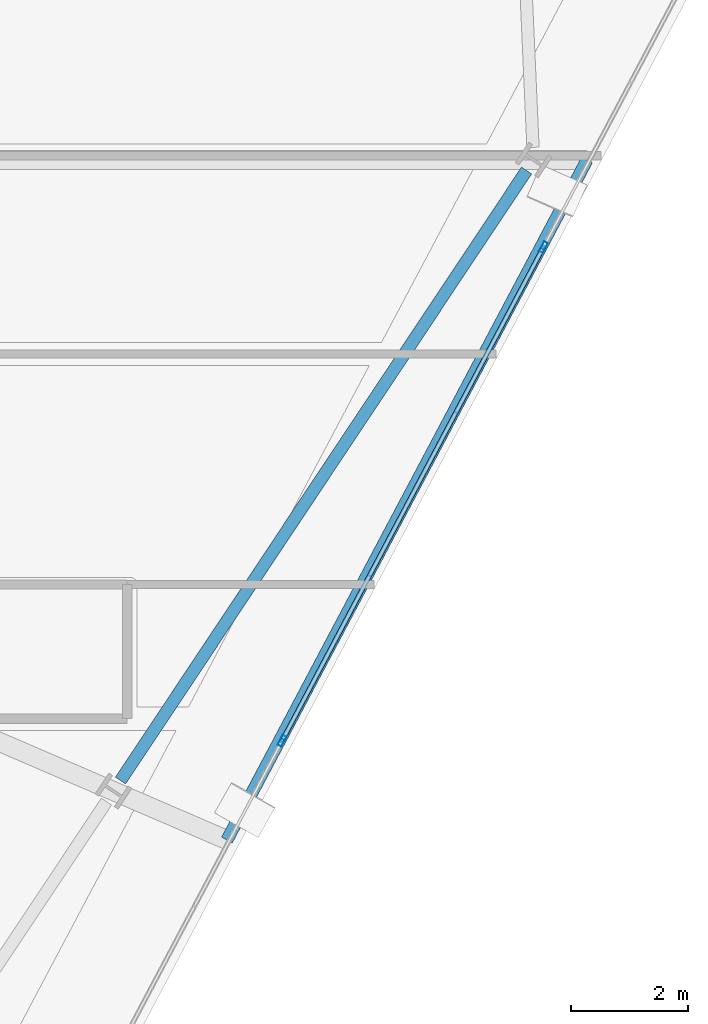
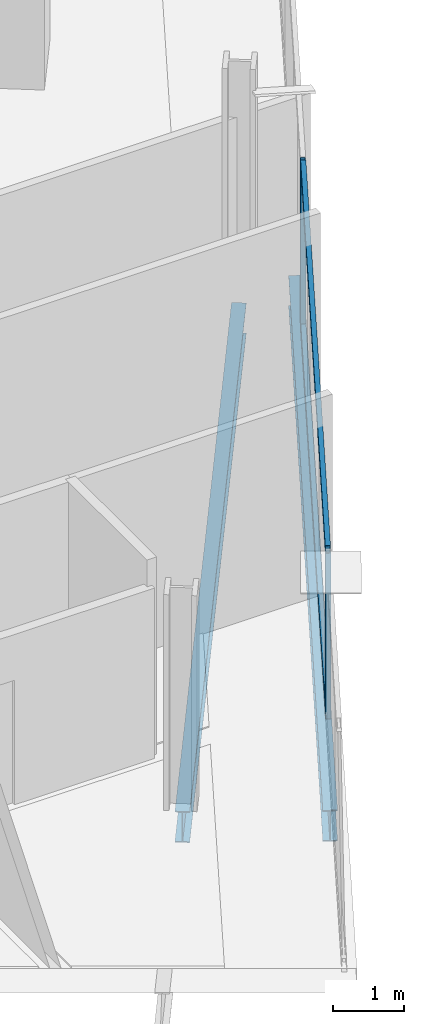
# One storey, part 12 of 28: 4 members, 2 beams, 1 element without a shape of its own.
"""IFC4 building model written with IfcOpenShell, lengths in metres."""

from ifc_helpers import new_model, si_unit, direction, frame, origin, origin_2d, place, context, subcontext, project, spatial, hollow_rectangle, i_section, extrude, material, material_profile, profile_set, type_object, element, aggregate, save


model = new_model("IFC4")

# Units and contexts
model_context = context("Model", 3, precision=1e-05, world=origin(), true_north=direction((0.0, 1.0)))
body_context = subcontext(model_context, "Body", "Model", "MODEL_VIEW")
ifc_project = project(units=[si_unit("LENGTHUNIT", "METRE"), si_unit("AREAUNIT", "SQUARE_METRE"), si_unit("VOLUMEUNIT", "CUBIC_METRE"), si_unit("PLANEANGLEUNIT", "RADIAN"), si_unit("MASSUNIT", "GRAM", prefix="KILO")], contexts=[model_context])

# Site, building, storey
site_placement = place(None, origin())
site = spatial("IfcSite", under=ifc_project, at=site_placement, CompositionType="ELEMENT")
building_placement = place(site_placement, origin())
building = spatial("IfcBuilding", under=site, at=building_placement, Name="Haldenkirk Collegiate Tower", CompositionType="ELEMENT")
storey_placement = place(building_placement, frame((0.0, 0.0, 235.949951171875)))
storey = spatial("IfcBuildingStorey", under=building, at=storey_placement, Name="L59", CompositionType="ELEMENT", Elevation=235.949951171875)

# Beams
ifc_material_1 = material(Name="Steel ASTM A992 Grade 50", Category="steel")
ifc_material_profile_1 = material_profile(ifc_material_1, i_section(OverallWidth=0.2099609375, OverallDepth=0.537109375, WebThickness=0.010986328125, FlangeThickness=0.017333984375, at=origin_2d()), Name="W21X68")
ifc_profile_set_1 = profile_set([ifc_material_profile_1], Name="Steel ASTM A992 Grade 50")
beam_type = type_object("IfcBeamType", Name="BM-SPANDREL-W21X68", PredefinedType="SPANDREL", material=ifc_profile_set_1)
beam_1_placement = place(storey_placement, frame((53.6845703125, 14.48876953125, -0.54833984375), z_axis=(0.554125989098, 0.832432813028, 0.0), x_axis=(-0.832432813028, 0.554125989098, 0.0)))
element("IfcBeam", 1, at=beam_1_placement, inside=storey, type_object=beam_type, Name="L59 perimeter spandrel beam 03", PredefinedType="SPANDREL", context=body_context, shape_type="SweptSolid", body=[
    extrude(i_section(OverallWidth=0.2099609375, OverallDepth=0.537109375, WebThickness=0.010986328125, FlangeThickness=0.017333984375, at=origin_2d()), origin(), (0.0, 0.0, 1.0), 12.56201171875),
])
beam_2_placement = place(storey_placement, frame((55.50927734375, 13.4697265625, -0.54833984375), z_axis=(0.467941297359, 0.883759550006, 0.0), x_axis=(-0.883759550006, 0.467941297359, 0.0)))
element("IfcBeam", 2, at=beam_2_placement, inside=storey, type_object=beam_type, Name="L59 outer facade edge beam 1", PredefinedType="SPANDREL", context=body_context, shape_type="SweptSolid", body=[
    extrude(i_section(OverallWidth=0.2099609375, OverallDepth=0.537109375, WebThickness=0.010986328125, FlangeThickness=0.017333984375, at=origin_2d()), origin(), (0.0, 0.0, 1.0), 13.18994140625),
])

# Curtain wall, members
ifc_material_2 = material(Name="Anodised architectural bronze aluminium", Category="aluminium")
curtain_wall_type = type_object("IfcCurtainWallType", Name="CW-SYS2-CONCAVE", PredefinedType="USERDEFINED", material=ifc_material_2)
curtain_wall_placement = place(storey_placement, origin())
curtain_wall = element("IfcCurtainWall", 3, at=curtain_wall_placement, inside=storey, type_object=curtain_wall_type, Name="L59 South concave recessed bronze-anodised curtain wall", ObjectType="UNITISED CURTAIN WALL", PredefinedType="USERDEFINED")
ifc_material_profile_2 = material_profile(ifc_material_2, hollow_rectangle(XDim=0.074951171875, YDim=0.18994140625, WallThickness=0.0048828125, at=origin_2d()), Name="CW-MUL-02")
ifc_profile_set_2 = profile_set([ifc_material_profile_2], Name="Anodised architectural bronze aluminium")
member_type_1 = type_object("IfcMemberType", Name="CW-MUL-02", PredefinedType="MULLION", material=ifc_profile_set_2)
member_1_placement = place(storey_placement, frame((60.93505859375, 23.6318359375, 0.0), z_axis=(0.0, 0.0, 1.0), x_axis=(0.883764543584, -0.467931866304, 0.0)))
member_1 = element("IfcMember", 4, at=member_1_placement, type_object=member_type_1, Name="CW-02 mullion 2", PredefinedType="MULLION", context=body_context, shape_type="SweptSolid", body=[
    extrude(hollow_rectangle(XDim=0.074951171875, YDim=0.18994140625, WallThickness=0.0048828125, at=origin_2d()), origin(), (0.0, 0.0, 1.0), 2.858154296875),
])
member_2_placement = place(storey_placement, frame((56.45458984375, 15.169677734375, 0.0), z_axis=(0.0, 0.0, 1.0), x_axis=(0.883764543584, -0.467931866304, 0.0)))
member_2 = element("IfcMember", 5, at=member_2_placement, type_object=member_type_1, Name="CW-02 mullion 3", PredefinedType="MULLION", context=body_context, shape_type="SweptSolid", body=[
    extrude(hollow_rectangle(XDim=0.074951171875, YDim=0.18994140625, WallThickness=0.0048828125, at=origin_2d()), origin(), (0.0, 0.0, 1.0), 2.858154296875),
])
ifc_material_profile_3 = material_profile(ifc_material_2, hollow_rectangle(XDim=0.074951171875, YDim=0.159912109375, WallThickness=0.0048828125, at=origin_2d()), Name="CW-TRN-02")
ifc_profile_set_3 = profile_set([ifc_material_profile_3], Name="Anodised architectural bronze aluminium")
member_type_2 = type_object("IfcMemberType", Name="CW-TRN-02", PredefinedType="USERDEFINED", material=ifc_profile_set_3)
member_3_placement = place(storey_placement, frame((60.917724609375, 23.5986328125, 0.03759765625), z_axis=(-0.467949118542, -0.883755408728, 0.0), x_axis=(0.883755408728, -0.467949118542, 0.0)))
member_3 = element("IfcMember", 6, at=member_3_placement, type_object=member_type_2, Name="CW-02 transom 2.1", ObjectType="TRANSOM", PredefinedType="USERDEFINED", context=body_context, shape_type="SweptSolid", body=[
    extrude(hollow_rectangle(XDim=0.074951171875, YDim=0.159912109375, WallThickness=0.0048828125, at=origin_2d()), origin(), (0.0, 0.0, 1.0), 9.5),
])
member_4_placement = place(storey_placement, frame((60.917724609375, 23.5986328125, 2.820556640625), z_axis=(-0.467949118542, -0.883755408728, 0.0), x_axis=(0.883755408728, -0.467949118542, 0.0)))
member_4 = element("IfcMember", 7, at=member_4_placement, type_object=member_type_2, Name="CW-02 transom 2.2", ObjectType="TRANSOM", PredefinedType="USERDEFINED", context=body_context, shape_type="SweptSolid", body=[
    extrude(hollow_rectangle(XDim=0.074951171875, YDim=0.159912109375, WallThickness=0.0048828125, at=origin_2d()), origin(), (0.0, 0.0, 1.0), 9.5),
])
aggregate(curtain_wall, [member_1, member_2, member_3, member_4])

save(model, "model.ifc")
